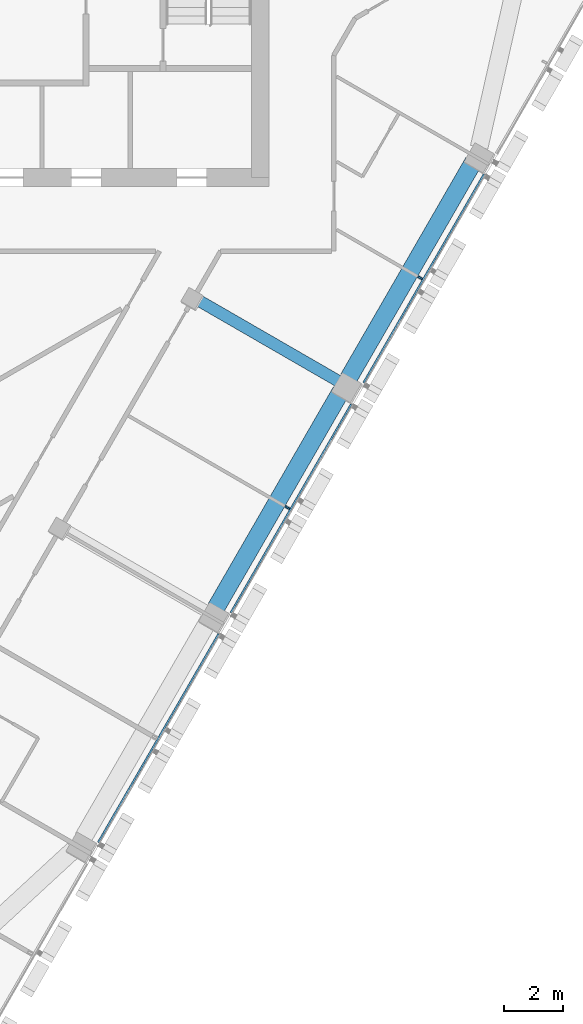
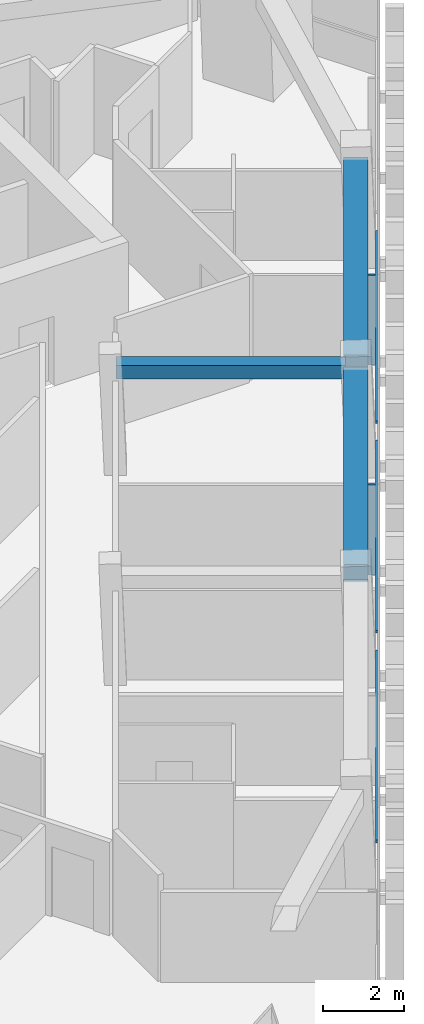
# One storey, part 4 of 14: 5 members, 3 beams, 1 element without a shape of its own.
"""IFC4 building model written with IfcOpenShell, lengths in metres."""

from ifc_helpers import new_model, si_unit, direction, frame, origin, origin_2d, place, context, subcontext, project, spatial, rectangle, extrude, material, layer, layer_set, material_profile, profile_set, type_object, element, aggregate, save


model = new_model("IFC4")

# Units and contexts
model_context = context("Model", 3, precision=1e-05, world=origin(), true_north=direction((0.0, 1.0)))
body_context = subcontext(model_context, "Body", "Model", "MODEL_VIEW")
ifc_project = project(units=[si_unit("LENGTHUNIT", "METRE"), si_unit("AREAUNIT", "SQUARE_METRE"), si_unit("VOLUMEUNIT", "CUBIC_METRE"), si_unit("PLANEANGLEUNIT", "RADIAN"), si_unit("MASSUNIT", "GRAM", prefix="KILO")], contexts=[model_context])

# Site, building, storey
site_placement = place(None, origin())
site = spatial("IfcSite", under=ifc_project, at=site_placement, CompositionType="ELEMENT")
building_placement = place(site_placement, origin())
building = spatial("IfcBuilding", under=site, at=building_placement, Name="Altiplano Prism Tower", CompositionType="ELEMENT")
storey_placement = place(building_placement, frame((0.0, 0.0, 242.800048828125)))
storey = spatial("IfcBuildingStorey", under=building, at=storey_placement, Name="L62", CompositionType="ELEMENT", Elevation=242.800048828125)

# Curtain wall, members
ifc_material_1 = material(Name="Aluminium and glass", Category="aluminium")
ifc_layer = layer(ifc_material_1, 0.280029296875)
ifc_layer_set = layer_set([ifc_layer], Name="Aluminium and glass")
curtain_wall_type = type_object("IfcCurtainWallType", Name="CW1 typical co-living unitised curtain wall", PredefinedType="NOTDEFINED", material=ifc_layer_set)
curtain_wall_placement = place(storey_placement, origin())
curtain_wall = element("IfcCurtainWall", 1, at=curtain_wall_placement, inside=storey, type_object=curtain_wall_type, Name="CW1 curtain wall south-east face L62", PredefinedType="NOTDEFINED")
ifc_material_2 = material(Name="Aluminium", Category="aluminium")
ifc_material_profile_1 = material_profile(ifc_material_2, rectangle(XDim=0.179931640625, YDim=0.06494140625, at=origin_2d()), Name="CW1 mullion 65 x 180")
ifc_profile_set_1 = profile_set([ifc_material_profile_1], Name="Aluminium")
member_type_1 = type_object("IfcMemberType", Name="CW1 mullion 65 x 180", PredefinedType="MULLION", material=ifc_profile_set_1)
member_1_placement = place(storey_placement, frame((98.22705078125, 81.900146484375, 0.0), z_axis=(0.0, 0.0, 1.0), x_axis=(-0.866025401638, 0.500000003718, 0.0)))
member_1 = element("IfcMember", 2, at=member_1_placement, type_object=member_type_1, Name="CW1 mullion", PredefinedType="MULLION", context=body_context, shape_type="SweptSolid", body=[
    extrude(rectangle(XDim=0.179931640625, YDim=0.06494140625, at=origin_2d()), origin(), (0.0, 0.0, 1.0), 2.699951171875),
])
member_2_placement = place(storey_placement, frame((102.72705078125, 89.6943359375, 0.0), z_axis=(0.0, 0.0, 1.0), x_axis=(-0.866025401638, 0.500000003718, 0.0)))
member_2 = element("IfcMember", 3, at=member_2_placement, type_object=member_type_1, Name="CW1 mullion", PredefinedType="MULLION", context=body_context, shape_type="SweptSolid", body=[
    extrude(rectangle(XDim=0.179931640625, YDim=0.06494140625, at=origin_2d()), origin(), (0.0, 0.0, 1.0), 2.699951171875),
])
ifc_material_profile_2 = material_profile(ifc_material_2, rectangle(XDim=0.06005859375, YDim=0.080078125, at=origin_2d()), Name="CW1 transom 80 x 60")
ifc_profile_set_2 = profile_set([ifc_material_profile_2], Name="Aluminium")
member_type_2 = type_object("IfcMemberType", Name="CW1 transom 80 x 60", PredefinedType="USERDEFINED", material=ifc_profile_set_2)
member_3_placement = place(storey_placement, frame((91.808349609375, 70.54248046875, 1.099853515625), z_axis=(0.500008722908, 0.866020367552, 0.0), x_axis=(-0.866020367552, 0.500008722908, 0.0)))
member_3 = element("IfcMember", 4, at=member_3_placement, type_object=member_type_2, Name="CW1 transom", ObjectType="TRANSOM", PredefinedType="USERDEFINED", context=body_context, shape_type="SweptSolid", body=[
    extrude(rectangle(XDim=0.06005859375, YDim=0.080078125, at=origin_2d()), origin(), (0.0, 0.0, 1.0), 8.169677734375),
])
member_4_placement = place(storey_placement, frame((96.308349609375, 78.336669921875, 1.099853515625), z_axis=(0.500008722908, 0.866020367552, 0.0), x_axis=(-0.866020367552, 0.500008722908, 0.0)))
member_4 = element("IfcMember", 5, at=member_4_placement, type_object=member_type_2, Name="CW1 transom", ObjectType="TRANSOM", PredefinedType="USERDEFINED", context=body_context, shape_type="SweptSolid", body=[
    extrude(rectangle(XDim=0.06005859375, YDim=0.080078125, at=origin_2d()), origin(), (0.0, 0.0, 1.0), 8.169677734375),
])
member_5_placement = place(storey_placement, frame((100.808349609375, 86.130859375, 1.099853515625), z_axis=(0.500008722908, 0.866020367552, 0.0), x_axis=(-0.866020367552, 0.500008722908, 0.0)))
member_5 = element("IfcMember", 6, at=member_5_placement, type_object=member_type_2, Name="CW1 transom", ObjectType="TRANSOM", PredefinedType="USERDEFINED", context=body_context, shape_type="SweptSolid", body=[
    extrude(rectangle(XDim=0.06005859375, YDim=0.080078125, at=origin_2d()), origin(), (0.0, 0.0, 1.0), 8.169677734375),
])
aggregate(curtain_wall, [member_3, member_1, member_4, member_2, member_5])

# Beams
ifc_material_3 = material(Name="Concrete C60/75", Category="concrete")
ifc_material_profile_3 = material_profile(ifc_material_3, rectangle(XDim=0.60009765625, YDim=0.5, at=origin_2d()), Name="Edge beam 600x500")
ifc_profile_set_3 = profile_set([ifc_material_profile_3], Name="Concrete C60/75")
beam_type_1 = type_object("IfcBeamType", Name="Edge beam 600x500", PredefinedType="SPANDREL", material=ifc_profile_set_3)
for number, where, z_axis, x_axis, name in (
    (7, (95.79931640625, 78.492431640625, 2.949951171875), (0.500011199594, 0.866018937599, 0.0), (-0.866018937599, 0.500011199594, 0.0), "Edge beam P22-P23 L63"),
    (8, (100.29931640625, 86.28662109375, 2.949951171875), (0.500011199594, 0.866018937599, 0.0), (-0.866018937599, 0.500011199594, 0.0), "Edge beam P23-P24 L63"),
):
    element("IfcBeam", number, at=place(storey_placement, frame(where, z_axis=z_axis, x_axis=x_axis)), inside=storey, type_object=beam_type_1, Name=name, PredefinedType="SPANDREL", context=body_context, shape_type="SweptSolid", body=[
        extrude(rectangle(XDim=0.60009765625, YDim=0.5, at=origin_2d()), origin(), (0.0, 0.0, 1.0), 8.489990234375),
    ])
ifc_material_profile_4 = material_profile(ifc_material_3, rectangle(XDim=0.39990234375, YDim=0.39990234375, at=origin_2d()), Name="Tie beam 400x400")
ifc_profile_set_4 = profile_set([ifc_material_profile_4], Name="Concrete C60/75")
beam_type_2 = type_object("IfcBeamType", Name="Tie beam 400x400", PredefinedType="BEAM", material=ifc_profile_set_4)
beam_placement = place(storey_placement, frame((95.066650390625, 89.01318359375, 3.0), z_axis=(0.866026281646, -0.499998479497, 0.0), x_axis=(0.499998479497, 0.866026281646, 0.0)))
element("IfcBeam", 9, at=beam_placement, inside=storey, type_object=beam_type_2, Name="Tie beam I23 L63", PredefinedType="BEAM", context=body_context, shape_type="SweptSolid", body=[
    extrude(rectangle(XDim=0.39990234375, YDim=0.39990234375, at=origin_2d()), origin(), (0.0, 0.0, 1.0), 5.64013671875),
])

save(model, "model.ifc")
